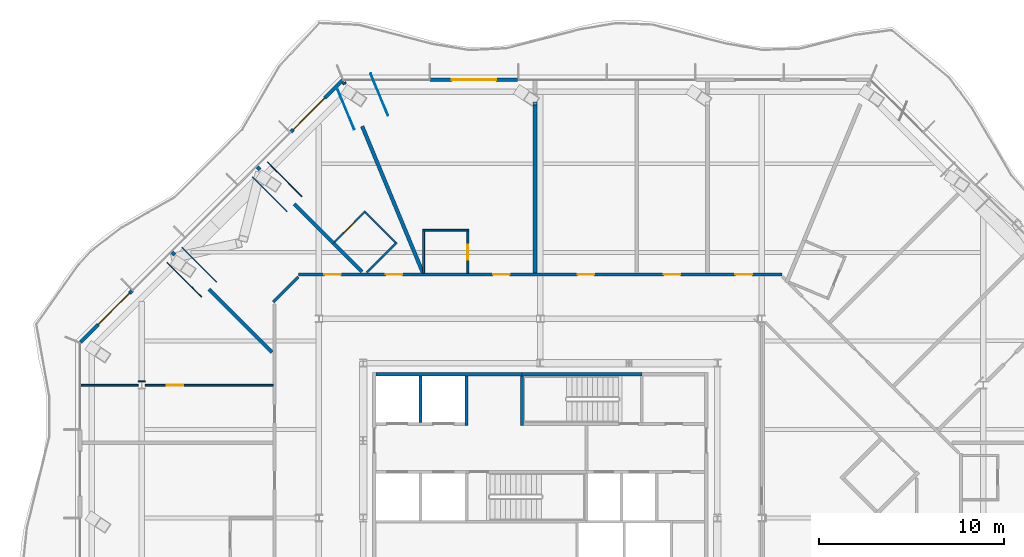
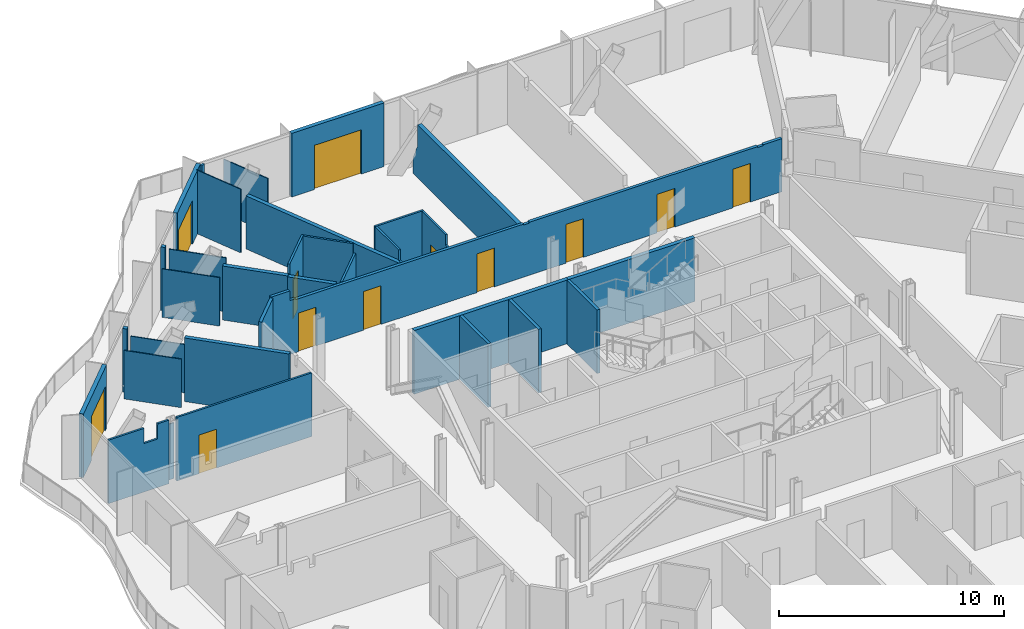
# One storey, part 11 of 19: 33 walls, 12 doors, 12 openings.
"""IFC4 building model written with IfcOpenShell, lengths in metres."""

from ifc_helpers import new_model, si_unit, direction, frame, frame_2d, origin, place, context, subcontext, project, spatial, polyline, rectangle, outline, extrude, material, layer, layer_set, type_object, element, fill, save


model = new_model("IFC4")

# Units and contexts
model_context = context("Model", 3, precision=1e-05, world=origin(), true_north=direction((0.0, 1.0)))
body_context = subcontext(model_context, "Body", "Model", "MODEL_VIEW")
ifc_project = project(units=[si_unit("LENGTHUNIT", "METRE"), si_unit("AREAUNIT", "SQUARE_METRE"), si_unit("VOLUMEUNIT", "CUBIC_METRE"), si_unit("PLANEANGLEUNIT", "RADIAN"), si_unit("MASSUNIT", "GRAM", prefix="KILO")], contexts=[model_context])

# Site, building, storey
site_placement = place(None, origin())
site = spatial("IfcSite", under=ifc_project, at=site_placement, CompositionType="ELEMENT")
building_placement = place(site_placement, origin())
building = spatial("IfcBuilding", under=site, at=building_placement, Name="Cairn Pilgrim Tower", CompositionType="ELEMENT")
storey_placement = place(building_placement, frame((0.0, 0.0, 186.60009765625)))
storey = spatial("IfcBuildingStorey", under=building, at=storey_placement, Name="L47", CompositionType="ELEMENT", Elevation=186.60009765625)

# Wall, opening, door
ifc_material_1 = material(Name="Bronze anodised aluminium insulated sandwich panel with mineral wool fill", Category="aluminium")
ifc_layer_1 = layer(ifc_material_1, 0.199951171875)
ifc_layer_set_1 = layer_set([ifc_layer_1], Name="BRONZE INFILL FRAME WALL 200")
wall_type_1 = type_object("IfcWallType", Name="BRONZE INFILL FRAME WALL 200", PredefinedType="NOTDEFINED", material=ifc_layer_set_1)
wall_1_placement = place(storey_placement, frame((5.969970703125, 26.14990234375, 0.0), z_axis=(0.0, 0.0, 1.0), x_axis=(-1.0, 0.0, 0.0)))
wall_1 = element("IfcWall", 1, at=wall_1_placement, inside=storey, type_object=wall_type_1, Name="Bronze infill frame wall IW-N5", PredefinedType="NOTDEFINED", context=body_context, shape_type="SweptSolid", body=[
    extrude(rectangle(XDim=4.739990234375, YDim=0.199951171875, at=frame_2d((2.3701171875, 0.0))), origin(), (0.0, 0.0, 1.0), 3.449951171875),
])
opening_1_placement = place(wall_1_placement, frame((1.170166015625, 0.0, 0.0)))
opening_1 = element("IfcOpeningElement", 2, at=opening_1_placement, cuts=wall_1, Name="Opening 4712B", PredefinedType="OPENING", context=body_context, shape_type="SweptSolid", body=[
    extrude(rectangle(XDim=2.39990234375, YDim=2.39990234375, at=frame_2d((1.199951171875, 1.199951171875))), frame((0.0, 0.10986328125, 0.0), z_axis=(0.0, -1.0, 0.0), x_axis=(1.0, 0.0, 0.0)), (0.0, 0.0, 1.0), 0.219970703125),
])
ifc_material_2 = material(Name="Bronze anodised aluminium frame with tinted low-E glass", Category="aluminium")
door_type_1 = type_object("IfcDoorType", Name="BALCONY SLIDING DOOR 2400x2400", OperationType="DOUBLE_DOOR_SLIDING", PredefinedType="DOOR", material=ifc_material_2)
door_1_placement = place(opening_1_placement, origin())
door_1 = element("IfcDoor", 3, at=door_1_placement, inside=storey, type_object=door_type_1, Name="Balcony sliding door 4712B", OperationType="SINGLE_SWING_LEFT", OverallHeight=2.39990234375, OverallWidth=2.39990234375, PredefinedType="DOOR", context=body_context, shape_type="SweptSolid", body=[
    extrude(rectangle(XDim=2.39990234375, YDim=2.39990234375, at=frame_2d((1.199951171875, 1.199951171875))), frame((0.0, 0.02490234375, 0.0), z_axis=(0.0, -1.0, 0.0), x_axis=(1.0, 0.0, 0.0)), (0.0, 0.0, 1.0), 0.050048828125),
])
fill(opening_1, door_1)

wall_2_placement = place(storey_placement, frame((-3.524658203125, 26.121826171875, 0.0), z_axis=(0.0, 0.0, 1.0), x_axis=(-0.707106781187, -0.707106781187, 0.0)))
wall_2 = element("IfcWall", 4, at=wall_2_placement, inside=storey, type_object=wall_type_1, Name="Bronze infill frame wall IW-NW1", PredefinedType="NOTDEFINED", context=body_context, shape_type="SweptSolid", body=[
    extrude(rectangle(XDim=3.961669921875, YDim=0.199951171875, at=frame_2d((1.98095703125, 0.0))), origin(), (0.0, 0.0, 1.0), 3.449951171875),
])
opening_2_placement = place(wall_2_placement, frame((1.361572265625, 0.0, 0.0)))
opening_2 = element("IfcOpeningElement", 5, at=opening_2_placement, cuts=wall_2, Name="Opening 4713B", PredefinedType="OPENING", context=body_context, shape_type="SweptSolid", body=[
    extrude(rectangle(XDim=2.39990234375, YDim=2.39990234375, at=frame_2d((1.199951171875, 1.199951171875))), frame((0.0, 0.10986328125, 0.0), z_axis=(0.0, -1.0, 0.0), x_axis=(1.0, 0.0, 0.0)), (0.0, 0.0, 1.0), 0.219970703125),
])
door_2_placement = place(opening_2_placement, origin())
door_2 = element("IfcDoor", 6, at=door_2_placement, inside=storey, type_object=door_type_1, Name="Balcony sliding door 4713B", OperationType="SINGLE_SWING_LEFT", OverallHeight=2.39990234375, OverallWidth=2.39990234375, PredefinedType="DOOR", context=body_context, shape_type="SweptSolid", body=[
    extrude(rectangle(XDim=2.39990234375, YDim=2.39990234375, at=frame_2d((1.199951171875, 1.199951171875))), frame((0.0, 0.02490234375, 0.0), z_axis=(0.0, -1.0, 0.0), x_axis=(1.0, 0.0, 0.0)), (0.0, 0.0, 1.0), 0.050048828125),
])
fill(opening_2, door_2)

wall_3_placement = place(storey_placement, frame((-14.92041015625, 14.725830078125, 0.0), z_axis=(0.0, 0.0, 1.0), x_axis=(-0.707137595296, -0.707075965734, 0.0)))
wall_3 = element("IfcWall", 7, at=wall_3_placement, inside=storey, type_object=wall_type_1, Name="Bronze infill frame wall IW-NW5", PredefinedType="NOTDEFINED", context=body_context, shape_type="SweptSolid", body=[
    extrude(rectangle(XDim=3.96142578125, YDim=0.199951171875, at=frame_2d((1.980712890625, 0.0))), origin(), (0.0, 0.0, 1.0), 3.449951171875),
])
opening_3_placement = place(wall_3_placement, frame((0.199951171875, 0.0, 0.0)))
opening_3 = element("IfcOpeningElement", 8, at=opening_3_placement, cuts=wall_3, Name="Opening 4723B", PredefinedType="OPENING", context=body_context, shape_type="SweptSolid", body=[
    extrude(rectangle(XDim=2.39990234375, YDim=2.39990234375, at=frame_2d((1.199951171875, 1.199951171875))), frame((0.0, 0.10986328125, 0.0), z_axis=(0.0, -1.0, 0.0), x_axis=(1.0, 0.0, 0.0)), (0.0, 0.0, 1.0), 0.219970703125),
])
door_3_placement = place(opening_3_placement, origin())
door_3 = element("IfcDoor", 9, at=door_3_placement, inside=storey, type_object=door_type_1, Name="Balcony sliding door 4723B", OperationType="SINGLE_SWING_LEFT", OverallHeight=2.39990234375, OverallWidth=2.39990234375, PredefinedType="DOOR", context=body_context, shape_type="SweptSolid", body=[
    extrude(rectangle(XDim=2.39990234375, YDim=2.39990234375, at=frame_2d((1.199951171875, 1.199951171875))), frame((0.0, 0.02490234375, 0.0), z_axis=(0.0, -1.0, 0.0), x_axis=(1.0, 0.0, 0.0)), (0.0, 0.0, 1.0), 0.050048828125),
])
fill(opening_3, door_3)

# Walls
ifc_material_3 = material(Name="Concrete C32/40", Category="concrete")
ifc_layer_2 = layer(ifc_material_3, 0.199951171875)
ifc_layer_set_2 = layer_set([ifc_layer_2], Name="CORE OUTER WALL 200 EI 120")
wall_type_2 = type_object("IfcWallType", Name="CORE OUTER WALL 200 EI 120", PredefinedType="SOLIDWALL", material=ifc_layer_set_2)
wall_4_placement = place(storey_placement, frame((-1.699951171875, 10.199951171875, 0.0), z_axis=(0.0, 0.0, 1.0), x_axis=(1.0, 0.0, 0.0)))
element("IfcWall", 10, at=wall_4_placement, inside=storey, type_object=wall_type_2, Name="CW:L47:H12-1", PredefinedType="SOLIDWALL", context=body_context, shape_type="SweptSolid", body=[
    extrude(rectangle(XDim=7.89990234375, YDim=0.199951171875, at=frame_2d((3.949951171875, 0.0))), origin(), (0.0, 0.0, 1.0), 3.449951171875),
])
ifc_layer_3 = layer(ifc_material_3, 0.14990234375)
ifc_layer_set_3 = layer_set([ifc_layer_3], Name="CORE SHAFT WALL 150 EI 120")
wall_type_3 = type_object("IfcWallType", Name="CORE SHAFT WALL 150 EI 120", PredefinedType="SOLIDWALL", material=ifc_layer_set_3)
wall_5_placement = place(storey_placement, frame((0.699951171875, 7.574951171875, 0.0), z_axis=(0.0, 0.0, 1.0), x_axis=(0.0, 1.0, 0.0)))
element("IfcWall", 11, at=wall_5_placement, inside=storey, type_object=wall_type_3, Name="CW:L47:V15", PredefinedType="SOLIDWALL", context=body_context, shape_type="SweptSolid", body=[
    extrude(rectangle(XDim=2.525146484375, YDim=0.14990234375, at=frame_2d((1.2626953125, 0.0))), origin(), (0.0, 0.0, 1.0), 3.449951171875),
])
wall_6_placement = place(storey_placement, frame((3.199951171875, 7.425048828125, 0.0), z_axis=(0.0, 0.0, 1.0), x_axis=(0.0, 1.0, 0.0)))
element("IfcWall", 12, at=wall_6_placement, inside=storey, type_object=wall_type_3, Name="CW:L47:V18", PredefinedType="SOLIDWALL", context=body_context, shape_type="SweptSolid", body=[
    extrude(rectangle(XDim=2.675048828125, YDim=0.14990234375, at=frame_2d((1.33740234375, 0.0))), origin(), (0.0, 0.0, 1.0), 3.449951171875),
])
ifc_material_4 = material(Name="Gypsum partition")
ifc_layer_4 = layer(ifc_material_4, 0.10009765625)
ifc_layer_set_4 = layer_set([ifc_layer_4], Name="PARTITION 100 DRYWALL")
wall_type_4 = type_object("IfcWallType", Name="PARTITION 100 DRYWALL", PredefinedType="PARTITIONING", material=ifc_layer_set_4)
wall_7_placement = place(storey_placement, frame((-17.702880859375, 9.60009765625, 0.0), z_axis=(0.0, 0.0, 1.0), x_axis=(1.0, 0.0, 0.0)))
element("IfcWall", 13, at=wall_7_placement, inside=storey, type_object=wall_type_4, Name="PARTITION W060", PredefinedType="PARTITIONING", context=body_context, shape_type="SweptSolid", body=[
    extrude(outline(polyline([(0.0, 0.0), (3.103271484375, 0.0), (3.103515625, 3.449951171875), (2.528076171875, 3.449951171875), (2.52587890625, 2.6298828125), (1.827880859375, 2.6298828125), (1.825927734375, 3.449951171875), (0.0, 3.449951171875), (0.0, 0.0)])), frame((0.0, 0.050048828125, 0.0), z_axis=(0.0, -1.0, 0.0), x_axis=(1.0, 0.0, 0.0)), (0.0, 0.0, 1.0), 0.10009765625),
])

# Wall, opening, door
wall_8_placement = place(storey_placement, frame((-14.200439453125, 9.60009765625, 0.0), z_axis=(0.0, 0.0, 1.0), x_axis=(1.0, 0.0, 0.0)))
wall_8 = element("IfcWall", 14, at=wall_8_placement, inside=storey, type_object=wall_type_4, Name="PARTITION W061", PredefinedType="PARTITIONING", context=body_context, shape_type="SweptSolid", body=[
    extrude(rectangle(XDim=6.925537109375, YDim=0.10009765625, at=frame_2d((3.462890625, 0.0))), origin(), (0.0, 0.0, 1.0), 3.449951171875),
])
opening_4_placement = place(wall_8_placement, frame((1.150390625, 0.0, 0.0)))
opening_4 = element("IfcOpeningElement", 15, at=opening_4_placement, cuts=wall_8, Name="Opening 4723", PredefinedType="OPENING", context=body_context, shape_type="SweptSolid", body=[
    extrude(rectangle(XDim=0.89990234375, YDim=2.10009765625, at=frame_2d((0.449951171875, 1.050048828125))), frame((0.0, 0.06005859375, 0.0), z_axis=(0.0, -1.0, 0.0), x_axis=(1.0, 0.0, 0.0)), (0.0, 0.0, 1.0), 0.1201171875),
])
ifc_material_5 = material(Name="Timber door leaf", Category="wood")
door_type_2 = type_object("IfcDoorType", Name="SERVICE DOOR 900x2100", OperationType="NOTDEFINED", PredefinedType="DOOR", material=ifc_material_5)
door_4_placement = place(opening_4_placement, frame((0.89990234375, 0.0, 0.0), z_axis=(0.0, 0.0, 1.0), x_axis=(-1.0, 0.0, 0.0)))
door_4 = element("IfcDoor", 16, at=door_4_placement, inside=storey, type_object=door_type_2, Name="DOOR 4723", OperationType="SINGLE_SWING_LEFT", OverallHeight=2.10009765625, OverallWidth=0.89990234375, PredefinedType="DOOR", context=body_context, shape_type="SweptSolid", body=[
    extrude(rectangle(XDim=0.89990234375, YDim=2.10009765625, at=frame_2d((0.449951171875, 1.050048828125))), frame((0.0, 0.02490234375, 0.0), z_axis=(0.0, -1.0, 0.0), x_axis=(1.0, 0.0, 0.0)), (0.0, 0.0, 1.0), 0.050048828125),
])
fill(opening_4, door_4)

# Walls
wall_9_placement = place(storey_placement, frame((-2.20263671875, 15.71044921875, 0.0), z_axis=(0.0, 0.0, 1.0), x_axis=(0.707106781187, 0.707106781187, 0.0)))
element("IfcWall", 17, at=wall_9_placement, inside=storey, type_object=wall_type_4, Name="PARTITION W074", PredefinedType="PARTITIONING", context=body_context, shape_type="SweptSolid", body=[
    extrude(rectangle(XDim=2.2939453125, YDim=0.10009765625, at=frame_2d((1.14697265625, 0.0))), origin(), (0.0, 0.0, 1.0), 2.8798828125),
])
wall_10_placement = place(storey_placement, frame((0.8740234375, 15.675048828125, 0.0), z_axis=(0.0, 0.0, 1.0), x_axis=(0.0, 1.0, 0.0)))
element("IfcWall", 18, at=wall_10_placement, inside=storey, type_object=wall_type_4, Name="PARTITION W076", PredefinedType="PARTITIONING", context=body_context, shape_type="SweptSolid", body=[
    extrude(outline(polyline([(0.0, 0.0), (2.27490234375, 0.0), (2.27490234375, 3.449951171875), (0.179931640625, 3.449951171875), (0.177978515625, 2.8798828125), (0.0, 2.8798828125), (0.0, 0.0)])), frame((0.0, 0.050048828125, 0.0), z_axis=(0.0, -1.0, 0.0), x_axis=(1.0, 0.0, 0.0)), (0.0, 0.0, 1.0), 0.10009765625),
])

# Wall, opening, door
wall_11_placement = place(storey_placement, frame((3.27392578125, 15.675048828125, 0.0), z_axis=(0.0, 0.0, 1.0), x_axis=(0.0, 1.0, 0.0)))
wall_11 = element("IfcWall", 19, at=wall_11_placement, inside=storey, type_object=wall_type_4, Name="PARTITION W077", PredefinedType="PARTITIONING", context=body_context, shape_type="SweptSolid", body=[
    extrude(outline(polyline([(0.0, 0.0), (2.27490234375, 0.0), (2.27490234375, 3.449951171875), (0.179931640625, 3.449951171875), (0.177978515625, 2.8798828125), (0.0, 2.8798828125), (0.0, 0.0)])), frame((0.0, 0.050048828125, 0.0), z_axis=(0.0, -1.0, 0.0), x_axis=(1.0, 0.0, 0.0)), (0.0, 0.0, 1.0), 0.10009765625),
])
opening_5_placement = place(wall_11_placement, frame((0.72509765625, 0.0, 0.0)))
opening_5 = element("IfcOpeningElement", 20, at=opening_5_placement, cuts=wall_11, Name="Opening 4712A", PredefinedType="OPENING", context=body_context, shape_type="SweptSolid", body=[
    extrude(rectangle(XDim=0.800048828125, YDim=2.10009765625, at=frame_2d((0.39990234375, 1.050048828125))), frame((0.0, 0.06005859375, 0.0), z_axis=(0.0, -1.0, 0.0), x_axis=(1.0, 0.0, 0.0)), (0.0, 0.0, 1.0), 0.1201171875),
])
door_type_3 = type_object("IfcDoorType", Name="WC DOOR 800x2100", OperationType="NOTDEFINED", PredefinedType="DOOR", material=ifc_material_5)
door_5_placement = place(opening_5_placement, frame((0.800048828125, 0.0, 0.0), z_axis=(0.0, 0.0, 1.0), x_axis=(-1.0, 0.0, 0.0)))
door_5 = element("IfcDoor", 21, at=door_5_placement, inside=storey, type_object=door_type_3, Name="DOOR 4712A", OperationType="SINGLE_SWING_LEFT", OverallHeight=2.10009765625, OverallWidth=0.800048828125, PredefinedType="DOOR", context=body_context, shape_type="SweptSolid", body=[
    extrude(rectangle(XDim=0.800048828125, YDim=2.10009765625, at=frame_2d((0.39990234375, 1.050048828125))), frame((0.0, 0.02490234375, 0.0), z_axis=(0.0, -1.0, 0.0), x_axis=(1.0, 0.0, 0.0)), (0.0, 0.0, 1.0), 0.050048828125),
])
fill(opening_5, door_5)

# Wall
wall_12_placement = place(storey_placement, frame((-0.6513671875, 17.33251953125, 0.0), z_axis=(0.0, 0.0, 1.0), x_axis=(-0.707159861304, 0.707053697085, 0.0)))
element("IfcWall", 22, at=wall_12_placement, inside=storey, type_object=wall_type_4, Name="PARTITION W084", PredefinedType="PARTITIONING", context=body_context, shape_type="SweptSolid", body=[
    extrude(rectangle(XDim=2.299560546875, YDim=0.10009765625, at=frame_2d((1.14990234375, 0.0))), origin(), (0.0, 0.0, 1.0), 3.449951171875),
])

# Wall, opening, door
wall_13_placement = place(storey_placement, frame((-3.939208984375, 17.36767578125, 0.0), z_axis=(0.0, 0.0, 1.0), x_axis=(0.707106781187, 0.707106781187, 0.0)))
wall_13 = element("IfcWall", 23, at=wall_13_placement, inside=storey, type_object=wall_type_4, Name="PARTITION W085", PredefinedType="PARTITIONING", context=body_context, shape_type="SweptSolid", body=[
    extrude(rectangle(XDim=2.349853515625, YDim=0.10009765625, at=frame_2d((1.1748046875, 0.0))), origin(), (0.0, 0.0, 1.0), 3.449951171875),
])
opening_6_placement = place(wall_13_placement, frame((0.699951171875, 0.0, 0.0)))
opening_6 = element("IfcOpeningElement", 24, at=opening_6_placement, cuts=wall_13, Name="Opening 4713A", PredefinedType="OPENING", context=body_context, shape_type="SweptSolid", body=[
    extrude(rectangle(XDim=0.800048828125, YDim=2.10009765625, at=frame_2d((0.39990234375, 1.050048828125))), frame((0.0, 0.06005859375, 0.0), z_axis=(0.0, -1.0, 0.0), x_axis=(1.0, 0.0, 0.0)), (0.0, 0.0, 1.0), 0.1201171875),
])
door_6_placement = place(opening_6_placement, origin())
door_6 = element("IfcDoor", 25, at=door_6_placement, inside=storey, type_object=door_type_3, Name="DOOR 4713A", OperationType="SINGLE_SWING_LEFT", OverallHeight=2.10009765625, OverallWidth=0.800048828125, PredefinedType="DOOR", context=body_context, shape_type="SweptSolid", body=[
    extrude(rectangle(XDim=0.800048828125, YDim=2.10009765625, at=frame_2d((0.39990234375, 1.050048828125))), frame((0.0, 0.02490234375, 0.0), z_axis=(0.0, -1.0, 0.0), x_axis=(1.0, 0.0, 0.0)), (0.0, 0.0, 1.0), 0.050048828125),
])
fill(opening_6, door_6)

# Walls
wall_14_placement = place(storey_placement, frame((0.823974609375, 18.0, 0.0), z_axis=(0.0, 0.0, 1.0), x_axis=(1.0, 0.0, 0.0)))
element("IfcWall", 26, at=wall_14_placement, inside=storey, type_object=wall_type_4, Name="PARTITION W087", PredefinedType="PARTITIONING", context=body_context, shape_type="SweptSolid", body=[
    extrude(rectangle(XDim=2.5, YDim=0.10009765625, at=frame_2d((1.25, 0.0))), origin(), (0.0, 0.0, 1.0), 3.449951171875),
])
ifc_layer_5 = layer(ifc_material_4, 0.14990234375)
ifc_layer_set_5 = layer_set([ifc_layer_5], Name="PARTITION 150 DRYWALL EI 60")
wall_type_5 = type_object("IfcWallType", Name="PARTITION 150 DRYWALL EI 60", PredefinedType="PARTITIONING", material=ifc_layer_set_5)
wall_15_placement = place(storey_placement, frame((-7.27490234375, 14.118896484375, 0.0), z_axis=(0.0, 0.0, 1.0), x_axis=(0.707042977282, 0.707170579335, 0.0)))
element("IfcWall", 27, at=wall_15_placement, inside=storey, type_object=wall_type_5, Name="PARTITION W067", PredefinedType="PARTITIONING", context=body_context, shape_type="SweptSolid", body=[
    extrude(rectangle(XDim=1.913330078125, YDim=0.14990234375, at=frame_2d((0.95654296875, 0.0))), origin(), (0.0, 0.0, 1.0), 3.449951171875),
])

# Wall, openings, doors
wall_16_placement = place(storey_placement, frame((-5.900146484375, 15.60009765625, 0.0), z_axis=(0.0, 0.0, 1.0), x_axis=(1.0, 0.0, 0.0)))
wall_16 = element("IfcWall", 28, at=wall_16_placement, inside=storey, type_object=wall_type_5, Name="PARTITION W072", PredefinedType="PARTITIONING", context=body_context, shape_type="SweptSolid", body=[
    extrude(outline(polyline([(0.0, 0.0), (26.200439453125, 0.0), (26.200439453125, 2.8798828125), (25.25, 2.8798828125), (25.248046875, 2.829833984375), (24.9501953125, 2.829833984375), (24.947998046875, 2.8798828125), (13.25, 2.8798828125), (13.248046875, 2.829833984375), (12.9501953125, 2.829833984375), (12.947998046875, 2.8798828125), (1.25, 2.8798828125), (1.248046875, 2.929931640625), (0.9501953125, 2.929931640625), (0.947998046875, 3.449951171875), (0.0, 3.449951171875), (0.0, 0.0)])), frame((0.0, 0.074951171875, 0.0), z_axis=(0.0, -1.0, 0.0), x_axis=(1.0, 0.0, 0.0)), (0.0, 0.0, 1.0), 0.14990234375),
])
opening_7_placement = place(wall_16_placement, frame((23.677978515625, 0.0, 0.0)))
opening_7 = element("IfcOpeningElement", 29, at=opening_7_placement, cuts=wall_16, Name="Opening 4709", PredefinedType="OPENING", context=body_context, shape_type="SweptSolid", body=[
    extrude(rectangle(XDim=0.89990234375, YDim=2.10009765625, at=frame_2d((0.449951171875, 1.050048828125))), frame((0.0, 0.0849609375, 0.0), z_axis=(0.0, -1.0, 0.0), x_axis=(1.0, 0.0, 0.0)), (0.0, 0.0, 1.0), 0.169921875),
])
opening_8_placement = place(wall_16_placement, frame((19.796142578125, 0.0, 0.0)))
opening_8 = element("IfcOpeningElement", 30, at=opening_8_placement, cuts=wall_16, Name="Opening 4710", PredefinedType="OPENING", context=body_context, shape_type="SweptSolid", body=[
    extrude(rectangle(XDim=0.89990234375, YDim=2.10009765625, at=frame_2d((0.449951171875, 1.050048828125))), frame((0.0, 0.0849609375, 0.0), z_axis=(0.0, -1.0, 0.0), x_axis=(1.0, 0.0, 0.0)), (0.0, 0.0, 1.0), 0.169921875),
])
opening_9_placement = place(wall_16_placement, frame((15.12109375, 0.0, 0.0)))
opening_9 = element("IfcOpeningElement", 31, at=opening_9_placement, cuts=wall_16, Name="Opening 4711", PredefinedType="OPENING", context=body_context, shape_type="SweptSolid", body=[
    extrude(rectangle(XDim=0.89990234375, YDim=2.10009765625, at=frame_2d((0.449951171875, 1.050048828125))), frame((0.0, 0.0849609375, 0.0), z_axis=(0.0, -1.0, 0.0), x_axis=(1.0, 0.0, 0.0)), (0.0, 0.0, 1.0), 0.169921875),
])
opening_10_placement = place(wall_16_placement, frame((10.54296875, 0.0, 0.0)))
opening_10 = element("IfcOpeningElement", 32, at=opening_10_placement, cuts=wall_16, Name="Opening 4712", PredefinedType="OPENING", context=body_context, shape_type="SweptSolid", body=[
    extrude(rectangle(XDim=0.89990234375, YDim=2.10009765625, at=frame_2d((0.449951171875, 1.050048828125))), frame((0.0, 0.0849609375, 0.0), z_axis=(0.0, -1.0, 0.0), x_axis=(1.0, 0.0, 0.0)), (0.0, 0.0, 1.0), 0.169921875),
])
opening_11_placement = place(wall_16_placement, frame((4.72998046875, 0.0, 0.0)))
opening_11 = element("IfcOpeningElement", 33, at=opening_11_placement, cuts=wall_16, Name="Opening 4713", PredefinedType="OPENING", context=body_context, shape_type="SweptSolid", body=[
    extrude(rectangle(XDim=0.89990234375, YDim=2.10009765625, at=frame_2d((0.449951171875, 1.050048828125))), frame((0.0, 0.0849609375, 0.0), z_axis=(0.0, -1.0, 0.0), x_axis=(1.0, 0.0, 0.0)), (0.0, 0.0, 1.0), 0.169921875),
])
opening_12_placement = place(wall_16_placement, frame((1.39599609375, 0.0, 0.0)))
opening_12 = element("IfcOpeningElement", 34, at=opening_12_placement, cuts=wall_16, Name="Opening 4714", PredefinedType="OPENING", context=body_context, shape_type="SweptSolid", body=[
    extrude(rectangle(XDim=0.89990234375, YDim=2.10009765625, at=frame_2d((0.449951171875, 1.050048828125))), frame((0.0, 0.0849609375, 0.0), z_axis=(0.0, -1.0, 0.0), x_axis=(1.0, 0.0, 0.0)), (0.0, 0.0, 1.0), 0.169921875),
])
door_type_4 = type_object("IfcDoorType", Name="ROOM DOOR 900x2100 FD30S", OperationType="NOTDEFINED", PredefinedType="DOOR", material=ifc_material_5)
door_7_placement = place(opening_7_placement, origin())
door_7 = element("IfcDoor", 35, at=door_7_placement, inside=storey, type_object=door_type_4, Name="DOOR 4709", OperationType="SINGLE_SWING_RIGHT", OverallHeight=2.10009765625, OverallWidth=0.89990234375, PredefinedType="DOOR", context=body_context, shape_type="SweptSolid", body=[
    extrude(rectangle(XDim=0.89990234375, YDim=2.10009765625, at=frame_2d((0.449951171875, 1.050048828125))), frame((0.0, 0.02490234375, 0.0), z_axis=(0.0, -1.0, 0.0), x_axis=(1.0, 0.0, 0.0)), (0.0, 0.0, 1.0), 0.050048828125),
])
fill(opening_7, door_7)
door_8_placement = place(opening_8_placement, origin())
door_8 = element("IfcDoor", 36, at=door_8_placement, inside=storey, type_object=door_type_4, Name="DOOR 4710", OperationType="SINGLE_SWING_LEFT", OverallHeight=2.10009765625, OverallWidth=0.89990234375, PredefinedType="DOOR", context=body_context, shape_type="SweptSolid", body=[
    extrude(rectangle(XDim=0.89990234375, YDim=2.10009765625, at=frame_2d((0.449951171875, 1.050048828125))), frame((0.0, 0.02490234375, 0.0), z_axis=(0.0, -1.0, 0.0), x_axis=(1.0, 0.0, 0.0)), (0.0, 0.0, 1.0), 0.050048828125),
])
fill(opening_8, door_8)
door_9_placement = place(opening_10_placement, origin())
door_9 = element("IfcDoor", 37, at=door_9_placement, inside=storey, type_object=door_type_4, Name="DOOR 4712", OperationType="SINGLE_SWING_LEFT", OverallHeight=2.10009765625, OverallWidth=0.89990234375, PredefinedType="DOOR", context=body_context, shape_type="SweptSolid", body=[
    extrude(rectangle(XDim=0.89990234375, YDim=2.10009765625, at=frame_2d((0.449951171875, 1.050048828125))), frame((0.0, 0.02490234375, 0.0), z_axis=(0.0, -1.0, 0.0), x_axis=(1.0, 0.0, 0.0)), (0.0, 0.0, 1.0), 0.050048828125),
])
fill(opening_10, door_9)
door_10_placement = place(opening_11_placement, origin())
door_10 = element("IfcDoor", 38, at=door_10_placement, inside=storey, type_object=door_type_4, Name="DOOR 4713", OperationType="SINGLE_SWING_LEFT", OverallHeight=2.10009765625, OverallWidth=0.89990234375, PredefinedType="DOOR", context=body_context, shape_type="SweptSolid", body=[
    extrude(rectangle(XDim=0.89990234375, YDim=2.10009765625, at=frame_2d((0.449951171875, 1.050048828125))), frame((0.0, 0.02490234375, 0.0), z_axis=(0.0, -1.0, 0.0), x_axis=(1.0, 0.0, 0.0)), (0.0, 0.0, 1.0), 0.050048828125),
])
fill(opening_11, door_10)
door_type_5 = type_object("IfcDoorType", Name="SERVICE DOOR 900x2100 FD30S", OperationType="NOTDEFINED", PredefinedType="DOOR", material=ifc_material_5)
door_11_placement = place(opening_9_placement, origin())
door_11 = element("IfcDoor", 39, at=door_11_placement, inside=storey, type_object=door_type_5, Name="DOOR 4711", OperationType="SINGLE_SWING_LEFT", OverallHeight=2.10009765625, OverallWidth=0.89990234375, PredefinedType="DOOR", context=body_context, shape_type="SweptSolid", body=[
    extrude(rectangle(XDim=0.89990234375, YDim=2.10009765625, at=frame_2d((0.449951171875, 1.050048828125))), frame((0.0, 0.02490234375, 0.0), z_axis=(0.0, -1.0, 0.0), x_axis=(1.0, 0.0, 0.0)), (0.0, 0.0, 1.0), 0.050048828125),
])
fill(opening_9, door_11)
door_12_placement = place(opening_12_placement, origin())
door_12 = element("IfcDoor", 40, at=door_12_placement, inside=storey, type_object=door_type_5, Name="DOOR 4714", OperationType="SINGLE_SWING_LEFT", OverallHeight=2.10009765625, OverallWidth=0.89990234375, PredefinedType="DOOR", context=body_context, shape_type="SweptSolid", body=[
    extrude(rectangle(XDim=0.89990234375, YDim=2.10009765625, at=frame_2d((0.449951171875, 1.050048828125))), frame((0.0, 0.02490234375, 0.0), z_axis=(0.0, -1.0, 0.0), x_axis=(1.0, 0.0, 0.0)), (0.0, 0.0, 1.0), 0.050048828125),
])
fill(opening_12, door_12)

# Walls
ifc_layer_6 = layer(ifc_material_4, 0.050048828125)
ifc_layer_set_6 = layer_set([ifc_layer_6], Name="PARTITION 50 DRYWALL")
wall_type_6 = type_object("IfcWallType", Name="PARTITION 50 DRYWALL", PredefinedType="PARTITIONING", material=ifc_layer_set_6)
wall_17_placement = place(storey_placement, frame((-14.599609375, 9.821533203125, 0.0), z_axis=(0.0, 0.0, 1.0), x_axis=(1.0, 0.0, 0.0)))
element("IfcWall", 41, at=wall_17_placement, inside=storey, type_object=wall_type_6, Name="COLUMN CASING WC13", PredefinedType="PARTITIONING", context=body_context, shape_type="SweptSolid", body=[
    extrude(rectangle(XDim=0.399169921875, YDim=0.050048828125, at=frame_2d((0.19970703125, 0.0))), origin(), (0.0, 0.0, 1.0), 3.02978515625),
])
ifc_layer_7 = layer(ifc_material_4, 0.050048828125)
ifc_layer_set_7 = layer_set([ifc_layer_7], Name="PARTITION 50 DRYWALL EI 60")
wall_type_7 = type_object("IfcWallType", Name="PARTITION 50 DRYWALL EI 60", PredefinedType="PARTITIONING", material=ifc_layer_set_7)
for number, where, z_axis, x_axis, name in (
    (42, (-11.1591796875, 14.3896484375, 0.0), (0.0, 0.0, 1.0), (-0.707106781187, 0.707106781187, 0.0), "COLUMN CASING WC14"),
    (43, (-10.351318359375, 15.197509765625, 0.0), (0.0, 0.0, 1.0), (-0.707106781187, 0.707106781187, 0.0), "COLUMN CASING WC15"),
):
    element("IfcWall", number, at=place(storey_placement, frame(where, z_axis=z_axis, x_axis=x_axis)), inside=storey, type_object=wall_type_7, Name=name, PredefinedType="PARTITIONING", context=body_context, shape_type="SweptSolid", body=[
        extrude(rectangle(XDim=2.638427734375, YDim=0.050048828125, at=frame_2d((1.3193359375, 0.0))), origin(), (0.0, 0.0, 1.0), 2.6298828125),
    ])
wall_18_placement = place(storey_placement, frame((-1.052978515625, 24.212646484375, 0.0), z_axis=(0.0, 0.0, 1.0), x_axis=(-0.382712608723, 0.923867446728, 0.0)))
element("IfcWall", 44, at=wall_18_placement, inside=storey, type_object=wall_type_7, Name="COLUMN CASING WC18", PredefinedType="PARTITIONING", context=body_context, shape_type="SweptSolid", body=[
    extrude(rectangle(XDim=2.469970703125, YDim=0.050048828125, at=frame_2d((1.23486328125, 0.0))), origin(), (0.0, 0.0, 1.0), 2.929931640625),
])
wall_19_placement = place(storey_placement, frame((-2.881103515625, 23.455322265625, 0.0), z_axis=(0.0, 0.0, 1.0), x_axis=(-0.382712608723, 0.923867446728, 0.0)))
element("IfcWall", 45, at=wall_19_placement, inside=storey, type_object=wall_type_7, Name="COLUMN CASING WC19", PredefinedType="PARTITIONING", context=body_context, shape_type="SweptSolid", body=[
    extrude(rectangle(XDim=2.469970703125, YDim=0.050048828125, at=frame_2d((1.23486328125, 0.0))), origin(), (0.0, 0.0, 1.0), 3.449951171875),
])
wall_20_placement = place(storey_placement, frame((-6.534912109375, 19.01416015625, 0.0), z_axis=(0.0, 0.0, 1.0), x_axis=(-0.707199304153, 0.707014246112, 0.0)))
element("IfcWall", 46, at=wall_20_placement, inside=storey, type_object=wall_type_7, Name="COLUMN CASING WC20", PredefinedType="PARTITIONING", context=body_context, shape_type="SweptSolid", body=[
    extrude(rectangle(XDim=2.638427734375, YDim=0.050048828125, at=frame_2d((1.3193359375, 0.0))), origin(), (0.0, 0.0, 1.0), 2.6298828125),
])
wall_21_placement = place(storey_placement, frame((-5.727294921875, 19.82177734375, 0.0), z_axis=(0.0, 0.0, 1.0), x_axis=(-0.707199304153, 0.707014246112, 0.0)))
element("IfcWall", 47, at=wall_21_placement, inside=storey, type_object=wall_type_7, Name="COLUMN CASING WC21", PredefinedType="PARTITIONING", context=body_context, shape_type="SweptSolid", body=[
    extrude(rectangle(XDim=2.638427734375, YDim=0.050048828125, at=frame_2d((1.3193359375, 0.0))), origin(), (0.0, 0.0, 1.0), 2.929931640625),
])
ifc_layer_8 = layer(ifc_material_4, 0.199951171875)
ifc_layer_set_8 = layer_set([ifc_layer_8], Name="SHAFT WALL 200 GYPSUM EI 60")
wall_type_8 = type_object("IfcWallType", Name="SHAFT WALL 200 GYPSUM EI 60", PredefinedType="PARTITIONING", material=ifc_layer_set_8)
wall_22_placement = place(storey_placement, frame((-7.345703125, 11.3837890625, 0.0), z_axis=(0.0, 0.0, 1.0), x_axis=(-0.707132095121, 0.707081466346, 0.0)))
element("IfcWall", 48, at=wall_22_placement, inside=storey, type_object=wall_type_8, Name="PARTITION W064", PredefinedType="PARTITIONING", context=body_context, shape_type="SweptSolid", body=[
    extrude(rectangle(XDim=4.822265625, YDim=0.199951171875, at=frame_2d((2.4111328125, 0.0))), origin(), (0.0, 0.0, 1.0), 3.449951171875),
])
wall_23_placement = place(storey_placement, frame((-2.458740234375, 15.74560546875, 0.0), z_axis=(0.0, 0.0, 1.0), x_axis=(-0.707051140727, 0.707162417268, 0.0)))
element("IfcWall", 49, at=wall_23_placement, inside=storey, type_object=wall_type_8, Name="PARTITION W073", PredefinedType="PARTITIONING", context=body_context, shape_type="SweptSolid", body=[
    extrude(rectangle(XDim=2.194091796875, YDim=0.199951171875, at=frame_2d((1.09716796875, 0.0))), origin(), (0.0, 0.0, 1.0), 2.8798828125),
])
wall_24_placement = place(storey_placement, frame((0.8271484375, 15.71337890625, 0.0), z_axis=(0.0, 0.0, 1.0), x_axis=(-0.382735813185, 0.923857833925, 0.0)))
element("IfcWall", 50, at=wall_24_placement, inside=storey, type_object=wall_type_8, Name="PARTITION W075", PredefinedType="PARTITIONING", context=body_context, shape_type="SweptSolid", body=[
    extrude(rectangle(XDim=8.57177734375, YDim=0.199951171875, at=frame_2d((4.285888671875, 0.0))), origin(), (0.0, 0.0, 1.0), 2.8798828125),
])
wall_25_placement = place(storey_placement, frame((6.912109375, 15.675048828125, 0.0), z_axis=(0.0, 0.0, 1.0), x_axis=(0.0, 1.0, 0.0)))
element("IfcWall", 51, at=wall_25_placement, inside=storey, type_object=wall_type_8, Name="PARTITION W078", PredefinedType="PARTITIONING", context=body_context, shape_type="SweptSolid", body=[
    extrude(outline(polyline([(0.0, 0.0), (9.28564453125, 0.0), (9.28564453125, 0.8623046875), (8.87255859375, 1.724853515625), (8.87255859375, 2.58740234375), (8.87255859375, 2.8798828125), (0.0, 2.8798828125), (0.0, 2.58740234375), (0.0, 1.724853515625), (0.0, 0.8623046875), (0.0, 0.0)])), frame((0.0, 0.10009765625, 0.0), z_axis=(0.0, -1.0, 0.0), x_axis=(1.0, 0.0, 0.0)), (0.0, 0.0, 1.0), 0.199951171875),
])
wall_26_placement = place(storey_placement, frame((-12.62109375, 16.6591796875, 0.0), z_axis=(0.0, 0.0, 1.0), x_axis=(-0.707106781187, 0.707106781187, 0.0)))
element("IfcWall", 52, at=wall_26_placement, inside=storey, type_object=wall_type_8, Name="PARTITION W082", PredefinedType="PARTITIONING", context=body_context, shape_type="SweptSolid", body=[
    extrude(rectangle(XDim=0.198974609375, YDim=0.199951171875, at=frame_2d((0.099609375, 0.0))), origin(), (0.0, 0.0, 1.0), 3.449951171875),
])
wall_27_placement = place(storey_placement, frame((-4.010009765625, 17.297119140625, 0.0), z_axis=(0.0, 0.0, 1.0), x_axis=(-0.707188174772, 0.707025378231, 0.0)))
element("IfcWall", 53, at=wall_27_placement, inside=storey, type_object=wall_type_8, Name="PARTITION W083", PredefinedType="PARTITIONING", context=body_context, shape_type="SweptSolid", body=[
    extrude(rectangle(XDim=2.999267578125, YDim=0.199951171875, at=frame_2d((1.49951171875, 0.0))), origin(), (0.0, 0.0, 1.0), 2.929931640625),
])
wall_28_placement = place(storey_placement, frame((-7.997314453125, 21.283203125, 0.0), z_axis=(0.0, 0.0, 1.0), x_axis=(-0.706492173294, 0.707720855334, 0.0)))
element("IfcWall", 54, at=wall_28_placement, inside=storey, type_object=wall_type_8, Name="PARTITION W088", PredefinedType="PARTITIONING", context=body_context, shape_type="SweptSolid", body=[
    extrude(rectangle(XDim=0.19873046875, YDim=0.199951171875, at=frame_2d((0.099365234375, 0.0))), origin(), (0.0, 0.0, 1.0), 3.449951171875),
])
wall_29_placement = place(storey_placement, frame((-3.398681640625, 25.914306640625, 0.0), z_axis=(0.0, 0.0, 1.0), x_axis=(-0.384272142986, 0.923219865539, 0.0)))
element("IfcWall", 55, at=wall_29_placement, inside=storey, type_object=wall_type_8, Name="PARTITION W092", PredefinedType="PARTITIONING", context=body_context, shape_type="SweptSolid", body=[
    extrude(rectangle(XDim=0.10107421875, YDim=0.199951171875, at=frame_2d((0.050537109375, 0.0))), origin(), (0.0, 0.0, 1.0), 3.449951171875),
])
ifc_material_6 = material(Name="Concrete C35/45", Category="concrete")
ifc_layer_9 = layer(ifc_material_6, 0.14990234375)
ifc_layer_set_9 = layer_set([ifc_layer_9], Name="STAIR SHAFT WALL 150 EI 120")
wall_type_9 = type_object("IfcWallType", Name="STAIR SHAFT WALL 150 EI 120", PredefinedType="SOLIDWALL", material=ifc_layer_set_9)
wall_30_placement = place(storey_placement, frame((6.199951171875, 7.425048828125, 0.0), z_axis=(0.0, 0.0, 1.0), x_axis=(0.0, 1.0, 0.0)))
element("IfcWall", 56, at=wall_30_placement, inside=storey, type_object=wall_type_9, Name="CW:L47:V20", PredefinedType="SOLIDWALL", context=body_context, shape_type="SweptSolid", body=[
    extrude(rectangle(XDim=2.675048828125, YDim=0.14990234375, at=frame_2d((1.33740234375, 0.0))), origin(), (0.0, 0.0, 1.0), 3.449951171875),
])
ifc_layer_10 = layer(ifc_material_6, 0.199951171875)
ifc_layer_set_10 = layer_set([ifc_layer_10], Name="STAIR SHAFT WALL 200 EI 120")
wall_type_10 = type_object("IfcWallType", Name="STAIR SHAFT WALL 200 EI 120", PredefinedType="SOLIDWALL", material=ifc_layer_set_10)
wall_31_placement = place(storey_placement, frame((6.199951171875, 10.199951171875, 0.0), z_axis=(0.0, 0.0, 1.0), x_axis=(1.0, 0.0, 0.0)))
element("IfcWall", 57, at=wall_31_placement, inside=storey, type_object=wall_type_10, Name="CW:L47:H12-2", PredefinedType="SOLIDWALL", context=body_context, shape_type="SweptSolid", body=[
    extrude(rectangle(XDim=6.5, YDim=0.199951171875, at=frame_2d((3.25, 0.0))), origin(), (0.0, 0.0, 1.0), 3.449951171875),
])

save(model, "model.ifc")
